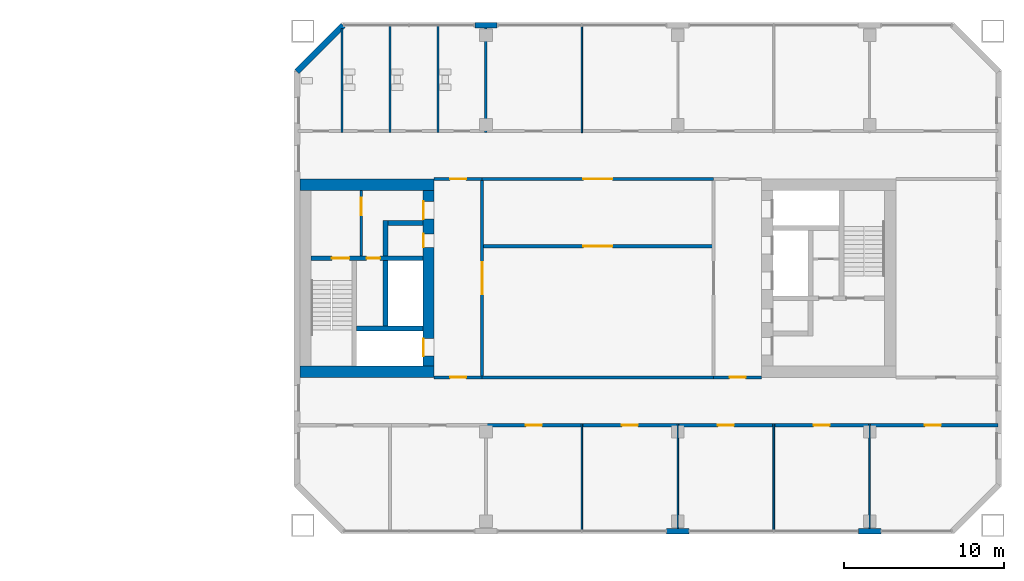
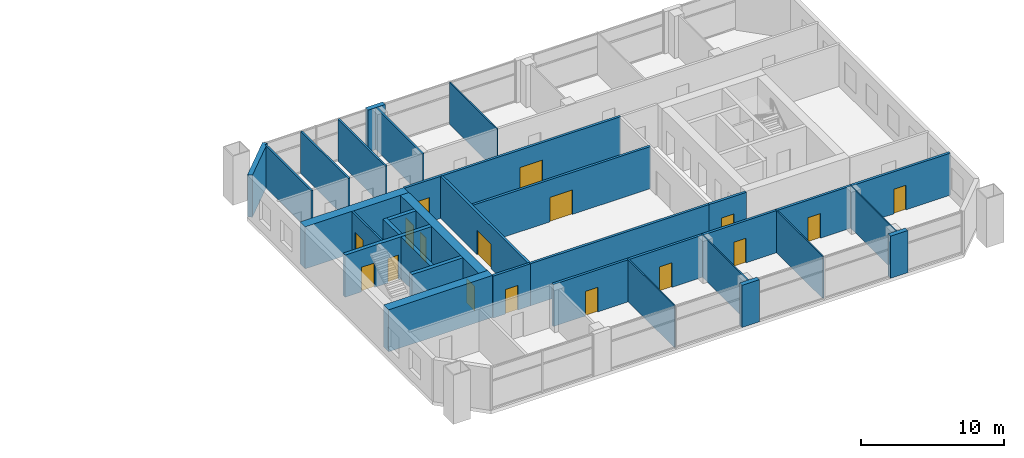
# One storey, part 14 of 19: 30 walls, 17 doors, 17 openings.
"""IFC4 building model written with IfcOpenShell, lengths in metres."""

import ifcopenshell
import ifcopenshell.guid

model = None  # the IFC model being written
_history = None  # IfcOwnerHistory: only IFC2X3 demands one
_inside = {}  # id of a spatial element -> (the spatial element, [elements in it])
_under = {}  # id of a project, library or spatial element -> (it, [spatial elements below it])
_declared = {}  # id of a project -> (the project, [libraries it declares])
_typed = {}  # id of a type object -> (the type object, [elements of that type])
_made_of = {}  # id of a material, layer set ... -> (it, [elements and type objects made of it])


def new_model(schema):
    """Start an empty IFC model of exactly this schema.

    Asked for "IFC4X3", IfcOpenShell would pick the latest addendum, in which some entities
    have other attributes; the version numbers below select the first issue.
    IFC2X3 requires an IfcOwnerHistory on every rooted entity: one is made here for all.
    """
    global model, _history
    if schema == "IFC4X3":
        model = ifcopenshell.file(schema_version=(4, 3, 0, 0))
    else:
        model = ifcopenshell.file(schema=schema)
    _inside.clear()
    _under.clear()
    _declared.clear()
    _typed.clear()
    _made_of.clear()
    _history = None
    if model.schema == "IFC2X3":
        org = make("IfcOrganization", Name="unknown")
        user = make(
            "IfcPersonAndOrganization",
            ThePerson=make("IfcPerson", FamilyName="unknown"),
            TheOrganization=org,
        )
        app = make(
            "IfcApplication",
            ApplicationDeveloper=org,
            Version="unknown",
            ApplicationFullName="unknown",
            ApplicationIdentifier="unknown",
        )
        _history = make(
            "IfcOwnerHistory",
            OwningUser=user,
            OwningApplication=app,
            ChangeAction="ADDED",
            CreationDate=0,
        )
    return model


def make(cls, **values):
    """One entity of the class cls with the attributes given. An attribute that is None is left unset."""
    return model.create_entity(
        cls, **{name: value for name, value in values.items() if value is not None}
    )


def rooted(cls, **values):
    """An entity with a GlobalId (a new one), such as an element, a storey or a relation."""
    return make(cls, GlobalId=ifcopenshell.guid.new(), OwnerHistory=_history, **values)


def si_unit(unit_type, name, prefix=None):
    """IfcSIUnit, for example si_unit("LENGTHUNIT", "METRE", prefix="MILLI")."""
    return make("IfcSIUnit", UnitType=unit_type, Prefix=prefix, Name=name)


def assignment(units):
    """IfcUnitAssignment: the units of a project."""
    return None if units is None else make("IfcUnitAssignment", Units=units)


def point(xyz):
    """IfcCartesianPoint."""
    return None if xyz is None else make("IfcCartesianPoint", Coordinates=xyz)


def direction(xyz):
    """IfcDirection."""
    return None if xyz is None else make("IfcDirection", DirectionRatios=xyz)


def frame(location, z_axis=None, x_axis=None):
    """IfcAxis2Placement3D, a coordinate frame: its origin and axes. An axis left out is left unset."""
    return make(
        "IfcAxis2Placement3D",
        Location=point(location),
        Axis=direction(z_axis),
        RefDirection=direction(x_axis),
    )


def frame_2d(location, x_axis=None):
    """IfcAxis2Placement2D, a coordinate frame in the plane: its origin and x axis."""
    return make(
        "IfcAxis2Placement2D", Location=point(location), RefDirection=direction(x_axis)
    )


def origin():
    """The frame at (0, 0, 0) with its axes left unset."""
    return frame((0.0, 0.0, 0.0))


def place(relative_to, where):
    """IfcLocalPlacement: puts the frame where relative to a parent placement (None: the world)."""
    return make(
        "IfcLocalPlacement", PlacementRelTo=relative_to, RelativePlacement=where
    )


def context(
    kind, dimensions, precision=None, world=None, true_north=None, identifier=None
):
    """IfcGeometricRepresentationContext, for example the 3D "Model" context."""
    return make(
        "IfcGeometricRepresentationContext",
        ContextIdentifier=identifier,
        ContextType=kind,
        CoordinateSpaceDimension=dimensions,
        Precision=precision,
        WorldCoordinateSystem=world,
        TrueNorth=true_north,
    )


def subcontext(parent, identifier, kind, view, scale=None):
    """IfcGeometricRepresentationSubContext, for example "Body" below "Model"."""
    return make(
        "IfcGeometricRepresentationSubContext",
        ContextIdentifier=identifier,
        ContextType=kind,
        ParentContext=parent,
        TargetScale=scale,
        TargetView=view,
    )


def project(units=None, contexts=None):
    """IfcProject with its units and contexts."""
    return rooted(
        "IfcProject",
        Name="project",
        RepresentationContexts=contexts,
        UnitsInContext=assignment(units),
    )


def spatial(cls, under=None, at=None, **own):
    """A site, building, storey or space (cls), placed at a placement, below another one or the project."""
    s = rooted(cls, ObjectPlacement=at, **own)
    if under is not None:
        _under.setdefault(under.id(), (under, []))[1].append(s)
    return s


def profile(cls, at=None, kind="AREA", **sizes):
    """A parametric profile (cls). Its sizes go by their IFC names, for example OverallWidth=200.0."""
    return make(cls, ProfileType=kind, Position=at, **sizes)


def rectangle(**sizes):
    """IfcRectangleProfileDef."""
    return profile("IfcRectangleProfileDef", **sizes)


def extrude(swept, where, along, depth):
    """IfcExtrudedAreaSolid: the profile swept, set in the frame where, extruded along a direction by depth."""
    return make(
        "IfcExtrudedAreaSolid",
        SweptArea=swept,
        Position=where,
        ExtrudedDirection=direction(along),
        Depth=depth,
    )


def shape(context_of_items, identifier, shape_type, items):
    """IfcShapeRepresentation: the items that make up one representation, for example the "Body"."""
    return make(
        "IfcShapeRepresentation",
        ContextOfItems=context_of_items,
        RepresentationIdentifier=identifier,
        RepresentationType=shape_type,
        Items=items,
    )


def material(Name=None, Category=None):
    """IfcMaterial."""
    return make("IfcMaterial", Name=Name, Category=Category)


def layer(
    of_material, thickness, ventilated=None, Name=None, Category=None, Priority=None
):
    """IfcMaterialLayer: one layer of a wall or slab, of a material (None: an air gap)."""
    return make(
        "IfcMaterialLayer",
        Material=of_material,
        LayerThickness=thickness,
        IsVentilated=ventilated,
        Name=Name,
        Category=Category,
        Priority=Priority,
    )


def layer_set(layers, Name=None):
    """IfcMaterialLayerSet."""
    return make("IfcMaterialLayerSet", MaterialLayers=layers, LayerSetName=Name)


def made_of(thing, what):
    """Note that an element or type object is made of a material, layer set ...; save() writes the relation."""
    if what is not None:
        _made_of.setdefault(what.id(), (what, []))[1].append(thing)
    return thing


def type_object(cls, material=None, **own):
    """A type object (cls), such as IfcWallType, which elements share."""
    return made_of(rooted(cls, **own), material)


def element(
    cls,
    number,
    at=None,
    inside=None,
    cuts=None,
    type_object=None,
    material=None,
    context=None,
    identifier="Body",
    shape_type=None,
    held_by="IfcProductDefinitionShape",
    body=None,
    shapes=None,
    **own,
):
    """One element of the class cls, such as IfcWall. Its Tag is "e" and its number.

    at: its placement. inside: the storey or other place that contains it. cuts: it is an
    opening in that element (IfcRelVoidsElement). A single representation is given by context,
    identifier, shape_type and body (its items); several are given by shapes. held_by: the class
    of the entity that holds the representations. save() writes the other relations.
    """
    e = rooted(cls, Tag="e%d" % number, ObjectPlacement=at, **own)
    if body is not None:
        shapes = [shape(context, identifier, shape_type, body)]
    if shapes is not None:
        e.Representation = make(held_by, Representations=shapes)
    if inside is not None:
        _inside.setdefault(inside.id(), (inside, []))[1].append(e)
    if cuts is not None:
        rooted(
            "IfcRelVoidsElement", RelatingBuildingElement=cuts, RelatedOpeningElement=e
        )
    if type_object is not None:
        _typed.setdefault(type_object.id(), (type_object, []))[1].append(e)
    return made_of(e, material)


def fill(opening, filler):
    """IfcRelFillsElement: the door or window that sits in an opening."""
    return rooted(
        "IfcRelFillsElement",
        RelatingOpeningElement=opening,
        RelatedBuildingElement=filler,
    )


def aggregate(whole, parts):
    """IfcRelAggregates: a whole, such as a stair, and the parts it consists of."""
    return rooted("IfcRelAggregates", RelatingObject=whole, RelatedObjects=parts)


def save(model, path):
    """Write the relations noted so far, then the file.

    IfcRelAggregates (storeys below a building ...), IfcRelContainedInSpatialStructure (elements
    in a storey), IfcRelDefinesByType, IfcRelAssociatesMaterial and IfcRelDeclares: one each for
    every whole, place, type object, material and project.
    """
    for whole, parts in _under.values():
        aggregate(whole, parts)
    for where, things in _inside.values():
        rooted(
            "IfcRelContainedInSpatialStructure",
            RelatedElements=things,
            RelatingStructure=where,
        )
    for kind, things in _typed.values():
        rooted("IfcRelDefinesByType", RelatedObjects=things, RelatingType=kind)
    for what, things in _made_of.values():
        rooted("IfcRelAssociatesMaterial", RelatedObjects=things, RelatingMaterial=what)
    for by, libraries in _declared.values():
        rooted("IfcRelDeclares", RelatingContext=by, RelatedDefinitions=libraries)
    model.write(path)


model = new_model("IFC4")

# Units and contexts
model_context = context("Model", 3, precision=1e-05, world=origin(), true_north=direction((0.0, 1.0)))
body_context = subcontext(model_context, "Body", "Model", "MODEL_VIEW")
ifc_project = project(units=[si_unit("LENGTHUNIT", "METRE"), si_unit("AREAUNIT", "SQUARE_METRE"), si_unit("VOLUMEUNIT", "CUBIC_METRE"), si_unit("PLANEANGLEUNIT", "RADIAN"), si_unit("MASSUNIT", "GRAM", prefix="KILO")], contexts=[model_context])

# Site, building, storey
site_placement = place(None, origin())
site = spatial("IfcSite", under=ifc_project, at=site_placement, CompositionType="ELEMENT")
building_placement = place(site_placement, origin())
building = spatial("IfcBuilding", under=site, at=building_placement, Name="Tuart Gate Housing", CompositionType="ELEMENT")
storey_placement = place(building_placement, frame((0.0, 0.0, 67.39990234375)))
storey = spatial("IfcBuildingStorey", under=building, at=storey_placement, Name="L18", CompositionType="ELEMENT", Elevation=67.39990234375)

# Walls
ifc_material_1 = material(Name="Gypsum board on steel studs", Category="steel")
ifc_layer_1 = layer(ifc_material_1, 0.14990234375)
ifc_layer_set_1 = layer_set([ifc_layer_1], Name="Bathroom wall 150")
wall_type_1 = type_object("IfcWallType", Name="Bathroom wall 150", PredefinedType="PLUMBINGWALL", material=ifc_layer_set_1)
wall_1_placement = place(storey_placement, frame((134.0, 79.10009765625, 0.0), z_axis=(0.0, 0.0, 1.0), x_axis=(0.0, 1.0, 0.0)))
element("IfcWall", 1, at=wall_1_placement, inside=storey, type_object=wall_type_1, Name="Bathroom wall 150", PredefinedType="PLUMBINGWALL", context=body_context, shape_type="SweptSolid", body=[
    extrude(rectangle(XDim=6.510986328125, YDim=0.14990234375, at=frame_2d((3.25537109375, 0.0))), origin(), (0.0, 0.0, 1.0), 3.60009765625),
])
for number, where, z_axis, x_axis, name in (
    (2, (137.0, 79.10009765625, 0.0), (0.0, 0.0, 1.0), (0.0, 1.0, 0.0), "Bathroom wall 150"),
    (3, (140.0, 79.10009765625, 0.0), (0.0, 0.0, 1.0), (0.0, 1.0, 0.0), "Bathroom wall 150"),
    (4, (143.0, 79.10009765625, 0.0), (0.0, 0.0, 1.0), (0.0, 1.0, 0.0), "Bathroom wall 150"),
):
    element("IfcWall", number, at=place(storey_placement, frame(where, z_axis=z_axis, x_axis=x_axis)), inside=storey, type_object=wall_type_1, Name=name, PredefinedType="PLUMBINGWALL", context=body_context, shape_type="SweptSolid", body=[
        extrude(rectangle(XDim=6.659912109375, YDim=0.14990234375, at=frame_2d((3.330078125, 0.0))), origin(), (0.0, 0.0, 1.0), 3.60009765625),
    ])
ifc_material_2 = material(Name="Brick", Category="masonry")
ifc_layer_2 = layer(ifc_material_2, 0.360107421875)
ifc_layer_set_2 = layer_set([ifc_layer_2], Name="Brick pier and spandrel wall 360")
wall_type_2 = type_object("IfcWallType", Name="Brick pier and spandrel wall 360", PredefinedType="STANDARD", material=ifc_layer_set_2)
for number, where, z_axis, x_axis, name in (
    (5, (154.300048828125, 54.179931640625, 0.0), (0.0, 0.0, 1.0), (1.0, 0.0, 0.0), "External wall B-S L18"),
    (6, (166.300048828125, 54.179931640625, 0.0), (0.0, 0.0, 1.0), (1.0, 0.0, 0.0), "External wall B-S L18"),
    (7, (143.699951171875, 85.820068359375, 0.0), (0.0, 0.0, 1.0), (-1.0, 0.0, 0.0), "External wall B-N L18"),
):
    element("IfcWall", number, at=place(storey_placement, frame(where, z_axis=z_axis, x_axis=x_axis)), inside=storey, type_object=wall_type_2, Name=name, PredefinedType="STANDARD", context=body_context, shape_type="SweptSolid", body=[
        extrude(rectangle(XDim=1.39990234375, YDim=0.360107421875, at=frame_2d((0.699951171875, 0.0))), origin(), (0.0, 0.0, 1.0), 3.60009765625),
    ])
wall_2_placement = place(storey_placement, frame((134.07470703125, 85.820068359375, 0.0), z_axis=(0.0, 0.0, 1.0), x_axis=(-0.707106781187, -0.707106781187, 0.0)))
element("IfcWall", 8, at=wall_2_placement, inside=storey, type_object=wall_type_2, Name="External wall B-NW L18", PredefinedType="STANDARD", context=body_context, shape_type="SweptSolid", body=[
    extrude(rectangle(XDim=4.09375, YDim=0.360107421875, at=frame_2d((2.046875, 0.0))), origin(), (0.0, 0.0, 1.0), 3.60009765625),
])

# Wall, opening, door
ifc_material_3 = material(Name="Plasterboard partition")
ifc_layer_3 = layer(ifc_material_3, 0.14990234375)
ifc_layer_set_3 = layer_set([ifc_layer_3], Name="Core partition 150")
wall_type_3 = type_object("IfcWallType", Name="Core partition 150", PredefinedType="PARTITIONING", material=ifc_layer_set_3)
wall_3_placement = place(storey_placement, frame((135.2099609375, 71.39990234375, 0.0), z_axis=(0.0, 0.0, 1.0), x_axis=(0.0, 1.0, 0.0)))
wall_3 = element("IfcWall", 9, at=wall_3_placement, inside=storey, type_object=wall_type_3, Name="Core partition BG.6", PredefinedType="PARTITIONING", context=body_context, shape_type="SweptSolid", body=[
    extrude(rectangle(XDim=4.10009765625, YDim=0.14990234375, at=frame_2d((2.050048828125, 0.0))), origin(), (0.0, 0.0, 1.0), 3.60009765625),
])
opening_1_placement = place(wall_3_placement, frame((2.52490234375, 0.0, 0.0)))
opening_1 = element("IfcOpeningElement", 10, at=opening_1_placement, cuts=wall_3, Name="Opening D119", PredefinedType="OPENING", context=body_context, shape_type="SweptSolid", body=[
    extrude(rectangle(XDim=1.10009765625, YDim=2.10009765625, at=frame_2d((0.550048828125, 1.050048828125))), frame((0.0, 0.0849609375, 0.0), z_axis=(0.0, -1.0, 0.0), x_axis=(1.0, 0.0, 0.0)), (0.0, 0.0, 1.0), 0.169921875),
])
ifc_material_4 = material(Name="Steel fire door", Category="steel")
door_type_1 = type_object("IfcDoorType", Name="Lobby door 1100 x 2100 RH", OperationType="SINGLE_SWING_RIGHT", PredefinedType="DOOR", material=ifc_material_4)
door_1_placement = place(opening_1_placement, origin())
door_1 = element("IfcDoor", 11, at=door_1_placement, inside=storey, type_object=door_type_1, Name="Smoke lobby door BG.KD", OperationType="SINGLE_SWING_RIGHT", OverallHeight=2.10009765625, OverallWidth=1.10009765625, PredefinedType="DOOR", context=body_context, shape_type="SweptSolid", body=[
    extrude(rectangle(XDim=1.10009765625, YDim=2.10009765625, at=frame_2d((0.550048828125, 1.050048828125))), frame((0.0, 0.02490234375, 0.0), z_axis=(0.0, -1.0, 0.0), x_axis=(1.0, 0.0, 0.0)), (0.0, 0.0, 1.0), 0.050048828125),
])
fill(opening_1, door_1)

# Wall
ifc_material_5 = material(Name="Concrete C50", Category="concrete")
ifc_layer_4 = layer(ifc_material_5, 0.300048828125)
ifc_layer_set_4 = layer_set([ifc_layer_4], Name="Core wall 300 C50")
wall_type_4 = type_object("IfcWallType", Name="Core wall 300 C50", PredefinedType="SHEAR", material=ifc_layer_set_4)
wall_4_placement = place(storey_placement, frame((139.06005859375, 66.85009765625, 0.0), z_axis=(0.0, 0.0, 1.0), x_axis=(-1.0, 0.0, 0.0)))
element("IfcWall", 12, at=wall_4_placement, inside=storey, type_object=wall_type_4, Name="Core wall BG.1", PredefinedType="SHEAR", context=body_context, shape_type="SweptSolid", body=[
    extrude(rectangle(XDim=4.150146484375, YDim=0.300048828125, at=frame_2d((2.0751953125, 0.0))), origin(), (0.0, 0.0, 1.0), 3.60009765625),
])

# Wall, openings, doors
wall_5_placement = place(storey_placement, frame((139.06005859375, 71.25, 0.0), z_axis=(0.0, 0.0, 1.0), x_axis=(-1.0, 0.0, 0.0)))
wall_5 = element("IfcWall", 13, at=wall_5_placement, inside=storey, type_object=wall_type_4, Name="Core wall BG.2", PredefinedType="SHEAR", context=body_context, shape_type="SweptSolid", body=[
    extrude(rectangle(XDim=7.0, YDim=0.300048828125, at=frame_2d((3.5, 0.0))), origin(), (0.0, 0.0, 1.0), 3.60009765625),
])
opening_2_placement = place(wall_5_placement, frame((4.60009765625, 0.0, 0.0)))
opening_2 = element("IfcOpeningElement", 14, at=opening_2_placement, cuts=wall_5, Name="Opening D122", PredefinedType="OPENING", context=body_context, shape_type="SweptSolid", body=[
    extrude(rectangle(XDim=1.10009765625, YDim=2.10009765625, at=frame_2d((0.550048828125, 1.050048828125))), frame((0.0, 0.159912109375, 0.0), z_axis=(0.0, -1.0, 0.0), x_axis=(1.0, 0.0, 0.0)), (0.0, 0.0, 1.0), 0.320068359375),
])
opening_3_placement = place(wall_5_placement, frame((2.675048828125, 0.0, 0.0)))
opening_3 = element("IfcOpeningElement", 15, at=opening_3_placement, cuts=wall_5, Name="Opening D121", PredefinedType="OPENING", context=body_context, shape_type="SweptSolid", body=[
    extrude(rectangle(XDim=0.85009765625, YDim=2.10009765625, at=frame_2d((0.425048828125, 1.050048828125))), frame((0.0, 0.159912109375, 0.0), z_axis=(0.0, -1.0, 0.0), x_axis=(1.0, 0.0, 0.0)), (0.0, 0.0, 1.0), 0.320068359375),
])
ifc_material_6 = material(Name="Steel fire door", Category="steel")
door_type_2 = type_object("IfcDoorType", Name="Riser door 850 x 2100", OperationType="SINGLE_SWING_LEFT", PredefinedType="DOOR", material=ifc_material_6)
door_2_placement = place(opening_3_placement, origin())
door_2 = element("IfcDoor", 16, at=door_2_placement, inside=storey, type_object=door_type_2, Name="Service room door BG.W1", OperationType="SINGLE_SWING_LEFT", OverallHeight=2.10009765625, OverallWidth=0.85009765625, PredefinedType="DOOR", context=body_context, shape_type="SweptSolid", body=[
    extrude(rectangle(XDim=0.85009765625, YDim=2.10009765625, at=frame_2d((0.425048828125, 1.050048828125))), frame((0.0, 0.02490234375, 0.0), z_axis=(0.0, -1.0, 0.0), x_axis=(1.0, 0.0, 0.0)), (0.0, 0.0, 1.0), 0.050048828125),
])
fill(opening_3, door_2)
ifc_material_7 = material(Name="Steel fire door", Category="steel")
door_type_3 = type_object("IfcDoorType", Name="Stair door 1100 x 2100", OperationType="SINGLE_SWING_LEFT", PredefinedType="DOOR", material=ifc_material_7)
door_3_placement = place(opening_2_placement, origin())
door_3 = element("IfcDoor", 17, at=door_3_placement, inside=storey, type_object=door_type_3, Name="Stair door BG.SD", OperationType="SINGLE_SWING_LEFT", OverallHeight=2.10009765625, OverallWidth=1.10009765625, PredefinedType="DOOR", context=body_context, shape_type="SweptSolid", body=[
    extrude(rectangle(XDim=1.10009765625, YDim=2.10009765625, at=frame_2d((0.550048828125, 1.050048828125))), frame((0.0, 0.02490234375, 0.0), z_axis=(0.0, -1.0, 0.0), x_axis=(1.0, 0.0, 0.0)), (0.0, 0.0, 1.0), 0.050048828125),
])
fill(opening_2, door_3)

# Walls
wall_6_placement = place(storey_placement, frame((139.06005859375, 73.449951171875, 0.0), z_axis=(0.0, 0.0, 1.0), x_axis=(-1.0, 0.0, 0.0)))
element("IfcWall", 18, at=wall_6_placement, inside=storey, type_object=wall_type_4, Name="Core wall BG.3", PredefinedType="SHEAR", context=body_context, shape_type="SweptSolid", body=[
    extrude(rectangle(XDim=2.199951171875, YDim=0.300048828125, at=frame_2d((1.10009765625, 0.0))), origin(), (0.0, 0.0, 1.0), 3.60009765625),
])
wall_7_placement = place(storey_placement, frame((136.7099609375, 67.0, 0.0), z_axis=(0.0, 0.0, 1.0), x_axis=(0.0, 1.0, 0.0)))
element("IfcWall", 19, at=wall_7_placement, inside=storey, type_object=wall_type_4, Name="Core wall BG.4", PredefinedType="SHEAR", context=body_context, shape_type="SweptSolid", body=[
    extrude(rectangle(XDim=4.10009765625, YDim=0.300048828125, at=frame_2d((2.050048828125, 0.0))), origin(), (0.0, 0.0, 1.0), 3.60009765625),
])
wall_8_placement = place(storey_placement, frame((136.7099609375, 71.39990234375, 0.0), z_axis=(0.0, 0.0, 1.0), x_axis=(0.0, 1.0, 0.0)))
element("IfcWall", 20, at=wall_8_placement, inside=storey, type_object=wall_type_4, Name="Core wall BG.5", PredefinedType="SHEAR", context=body_context, shape_type="SweptSolid", body=[
    extrude(rectangle(XDim=2.2001953125, YDim=0.300048828125, at=frame_2d((1.10009765625, 0.0))), origin(), (0.0, 0.0, 1.0), 3.60009765625),
])

# Wall, openings, doors
ifc_material_8 = material(Name="Concrete C50", Category="concrete")
ifc_layer_5 = layer(ifc_material_8, 0.699951171875)
ifc_layer_set_5 = layer_set([ifc_layer_5], Name="Core wall 700 C50")
wall_type_5 = type_object("IfcWallType", Name="Core wall 700 C50", PredefinedType="SHEAR", material=ifc_layer_set_5)
wall_9_placement = place(storey_placement, frame((139.409912109375, 64.5, 0.0), z_axis=(0.0, 0.0, 1.0), x_axis=(0.0, 1.0, 0.0)))
wall_9 = element("IfcWall", 21, at=wall_9_placement, inside=storey, type_object=wall_type_5, Name="Core wall BG front", PredefinedType="SHEAR", context=body_context, shape_type="SweptSolid", body=[
    extrude(rectangle(XDim=11.0, YDim=0.699951171875, at=frame_2d((5.5, 0.0))), origin(), (0.0, 0.0, 1.0), 3.60009765625),
])
opening_4_placement = place(wall_9_placement, frame((0.625, 0.0, 0.0)))
opening_4 = element("IfcOpeningElement", 22, at=opening_4_placement, cuts=wall_9, Name="Opening LD-FB1", PredefinedType="OPENING", context=body_context, shape_type="SweptSolid", body=[
    extrude(rectangle(XDim=1.10009765625, YDim=2.10009765625, at=frame_2d((0.550048828125, 1.050048828125))), frame((0.0, 0.35986328125, 0.0), z_axis=(0.0, -1.0, 0.0), x_axis=(1.0, 0.0, 0.0)), (0.0, 0.0, 1.0), 0.719970703125),
])
opening_5_placement = place(wall_9_placement, frame((9.199951171875, 0.0, 0.0)))
opening_5 = element("IfcOpeningElement", 23, at=opening_5_placement, cuts=wall_9, Name="Opening D124", PredefinedType="OPENING", context=body_context, shape_type="SweptSolid", body=[
    extrude(rectangle(XDim=1.10009765625, YDim=2.10009765625, at=frame_2d((0.550048828125, 1.050048828125))), frame((0.0, 0.35986328125, 0.0), z_axis=(0.0, -1.0, 0.0), x_axis=(1.0, 0.0, 0.0)), (0.0, 0.0, 1.0), 0.719970703125),
])
opening_6_placement = place(wall_9_placement, frame((7.425048828125, 0.0, 0.0)))
opening_6 = element("IfcOpeningElement", 24, at=opening_6_placement, cuts=wall_9, Name="Opening D125", PredefinedType="OPENING", context=body_context, shape_type="SweptSolid", body=[
    extrude(rectangle(XDim=0.85009765625, YDim=2.10009765625, at=frame_2d((0.425048828125, 1.050048828125))), frame((0.0, 0.35986328125, 0.0), z_axis=(0.0, -1.0, 0.0), x_axis=(1.0, 0.0, 0.0)), (0.0, 0.0, 1.0), 0.719970703125),
])
ifc_material_9 = material(Name="Stainless steel", Category="steel")
door_type_4 = type_object("IfcDoorType", Name="Landing door 1100 x 2100", OperationType="DOUBLE_DOOR_SLIDING", PredefinedType="DOOR", material=ifc_material_9)
door_4_placement = place(opening_4_placement, origin())
door_4 = element("IfcDoor", 25, at=door_4_placement, inside=storey, type_object=door_type_4, Name="Lift landing door FB1", OperationType="DOUBLE_DOOR_SLIDING", OverallHeight=2.10009765625, OverallWidth=1.10009765625, PredefinedType="DOOR", context=body_context, shape_type="SweptSolid", body=[
    extrude(rectangle(XDim=1.10009765625, YDim=2.10009765625, at=frame_2d((0.550048828125, 1.050048828125))), frame((0.0, 0.3349609375, 0.0), z_axis=(0.0, -1.0, 0.0), x_axis=(1.0, 0.0, 0.0)), (0.0, 0.0, 1.0), 0.050048828125),
])
fill(opening_4, door_4)
ifc_material_10 = material(Name="Steel fire door", Category="steel")
door_type_5 = type_object("IfcDoorType", Name="Lobby door 1100 x 2100", OperationType="SINGLE_SWING_LEFT", PredefinedType="DOOR", material=ifc_material_10)
door_5_placement = place(opening_5_placement, origin())
door_5 = element("IfcDoor", 26, at=door_5_placement, inside=storey, type_object=door_type_5, Name="Lobby entry door BG.EN", OperationType="SINGLE_SWING_LEFT", OverallHeight=2.10009765625, OverallWidth=1.10009765625, PredefinedType="DOOR", context=body_context, shape_type="SweptSolid", body=[
    extrude(rectangle(XDim=1.10009765625, YDim=2.10009765625, at=frame_2d((0.550048828125, 1.050048828125))), frame((0.0, 0.3349609375, 0.0), z_axis=(0.0, -1.0, 0.0), x_axis=(1.0, 0.0, 0.0)), (0.0, 0.0, 1.0), 0.050048828125),
])
fill(opening_5, door_5)
ifc_material_11 = material(Name="Steel fire door", Category="steel")
door_type_6 = type_object("IfcDoorType", Name="Service door 850 x 2100", OperationType="SINGLE_SWING_LEFT", PredefinedType="DOOR", material=ifc_material_11)
door_6_placement = place(opening_6_placement, origin())
door_6 = element("IfcDoor", 27, at=door_6_placement, inside=storey, type_object=door_type_6, Name="Service room door BG.T1", OperationType="SINGLE_SWING_LEFT", OverallHeight=2.10009765625, OverallWidth=0.85009765625, PredefinedType="DOOR", context=body_context, shape_type="SweptSolid", body=[
    extrude(rectangle(XDim=0.85009765625, YDim=2.10009765625, at=frame_2d((0.425048828125, 1.050048828125))), frame((0.0, 0.3349609375, 0.0), z_axis=(0.0, -1.0, 0.0), x_axis=(1.0, 0.0, 0.0)), (0.0, 0.0, 1.0), 0.050048828125),
])
fill(opening_6, door_6)

# Walls
for number, where, z_axis, x_axis, name in (
    (28, (139.760009765625, 64.14990234375, 0.0), (0.0, 0.0, 1.0), (-1.0, 0.0, 0.0), "Core wall BG south"),
    (29, (139.760009765625, 75.85009765625, 0.0), (0.0, 0.0, 1.0), (-1.0, 0.0, 0.0), "Core wall BG north"),
):
    element("IfcWall", number, at=place(storey_placement, frame(where, z_axis=z_axis, x_axis=x_axis)), inside=storey, type_object=wall_type_5, Name=name, PredefinedType="SHEAR", context=body_context, shape_type="SweptSolid", body=[
        extrude(rectangle(XDim=8.39990234375, YDim=0.699951171875, at=frame_2d((4.199951171875, 0.0))), origin(), (0.0, 0.0, 1.0), 3.60009765625),
    ])

# Wall, openings, doors
ifc_material_12 = material(Name="Concrete masonry 15 MPa", Category="masonry")
ifc_layer_6 = layer(ifc_material_12, 0.199951171875)
ifc_layer_set_6 = layer_set([ifc_layer_6], Name="Corridor wall masonry 200")
wall_type_6 = type_object("IfcWallType", Name="Corridor wall masonry 200", PredefinedType="PARTITIONING", material=ifc_layer_set_6)
wall_10_placement = place(storey_placement, frame((142.89990234375, 60.800048828125, 0.0), z_axis=(0.0, 0.0, 1.0), x_axis=(1.0, 0.0, 0.0)))
wall_10 = element("IfcWall", 30, at=wall_10_placement, inside=storey, type_object=wall_type_6, Name="Corridor wall masonry 200", PredefinedType="PARTITIONING", context=body_context, shape_type="SweptSolid", body=[
    extrude(rectangle(XDim=32.110107421875, YDim=0.199951171875, at=frame_2d((16.05517578125, 0.0))), origin(), (0.0, 0.0, 1.0), 3.60009765625),
])
opening_7_placement = place(wall_10_placement, frame((2.60009765625, 0.0, 0.0)))
opening_7 = element("IfcOpeningElement", 31, at=opening_7_placement, cuts=wall_10, Name="Opening D137", PredefinedType="OPENING", context=body_context, shape_type="SweptSolid", body=[
    extrude(rectangle(XDim=1.0, YDim=2.10009765625, at=frame_2d((0.5, 1.050048828125))), frame((0.0, 0.10986328125, 0.0), z_axis=(0.0, -1.0, 0.0), x_axis=(1.0, 0.0, 0.0)), (0.0, 0.0, 1.0), 0.219970703125),
])
opening_8_placement = place(wall_10_placement, frame((8.60009765625, 0.0, 0.0)))
opening_8 = element("IfcOpeningElement", 32, at=opening_8_placement, cuts=wall_10, Name="Opening D138", PredefinedType="OPENING", context=body_context, shape_type="SweptSolid", body=[
    extrude(rectangle(XDim=1.0, YDim=2.10009765625, at=frame_2d((0.5, 1.050048828125))), frame((0.0, 0.10986328125, 0.0), z_axis=(0.0, -1.0, 0.0), x_axis=(1.0, 0.0, 0.0)), (0.0, 0.0, 1.0), 0.219970703125),
])
opening_9_placement = place(wall_10_placement, frame((14.60009765625, 0.0, 0.0)))
opening_9 = element("IfcOpeningElement", 33, at=opening_9_placement, cuts=wall_10, Name="Opening D139", PredefinedType="OPENING", context=body_context, shape_type="SweptSolid", body=[
    extrude(rectangle(XDim=1.0, YDim=2.10009765625, at=frame_2d((0.5, 1.050048828125))), frame((0.0, 0.10986328125, 0.0), z_axis=(0.0, -1.0, 0.0), x_axis=(1.0, 0.0, 0.0)), (0.0, 0.0, 1.0), 0.219970703125),
])
opening_10_placement = place(wall_10_placement, frame((20.60009765625, 0.0, 0.0)))
opening_10 = element("IfcOpeningElement", 34, at=opening_10_placement, cuts=wall_10, Name="Opening D140", PredefinedType="OPENING", context=body_context, shape_type="SweptSolid", body=[
    extrude(rectangle(XDim=1.0, YDim=2.10009765625, at=frame_2d((0.5, 1.050048828125))), frame((0.0, 0.10986328125, 0.0), z_axis=(0.0, -1.0, 0.0), x_axis=(1.0, 0.0, 0.0)), (0.0, 0.0, 1.0), 0.219970703125),
])
opening_11_placement = place(wall_10_placement, frame((27.544921875, 0.0, 0.0)))
opening_11 = element("IfcOpeningElement", 35, at=opening_11_placement, cuts=wall_10, Name="Opening D141", PredefinedType="OPENING", context=body_context, shape_type="SweptSolid", body=[
    extrude(rectangle(XDim=1.0, YDim=2.10009765625, at=frame_2d((0.5, 1.050048828125))), frame((0.0, 0.10986328125, 0.0), z_axis=(0.0, -1.0, 0.0), x_axis=(1.0, 0.0, 0.0)), (0.0, 0.0, 1.0), 0.219970703125),
])
ifc_material_13 = material(Name="Timber door leaf in steel frame", Category="steel")
door_type_7 = type_object("IfcDoorType", Name="Fire door 1000 RH", OperationType="SINGLE_SWING_RIGHT", PredefinedType="DOOR", material=ifc_material_13)
door_7_placement = place(opening_7_placement, frame((1.0, 0.0, 0.0), z_axis=(0.0, 0.0, 1.0), x_axis=(-1.0, 0.0, 0.0)))
door_7 = element("IfcDoor", 36, at=door_7_placement, inside=storey, type_object=door_type_7, Name="Fire door 1000", OperationType="SINGLE_SWING_RIGHT", OverallHeight=2.10009765625, OverallWidth=1.0, PredefinedType="DOOR", context=body_context, shape_type="SweptSolid", body=[
    extrude(rectangle(XDim=1.0, YDim=2.10009765625, at=frame_2d((0.5, 1.050048828125))), frame((0.0, 0.025146484375, 0.0), z_axis=(0.0, -1.0, 0.0), x_axis=(1.0, 0.0, 0.0)), (0.0, 0.0, 1.0), 0.050048828125),
])
fill(opening_7, door_7)
door_8_placement = place(opening_8_placement, frame((1.0, 0.0, 0.0), z_axis=(0.0, 0.0, 1.0), x_axis=(-1.0, 0.0, 0.0)))
door_8 = element("IfcDoor", 37, at=door_8_placement, inside=storey, type_object=door_type_7, Name="Fire door 1000", OperationType="SINGLE_SWING_RIGHT", OverallHeight=2.10009765625, OverallWidth=1.0, PredefinedType="DOOR", context=body_context, shape_type="SweptSolid", body=[
    extrude(rectangle(XDim=1.0, YDim=2.10009765625, at=frame_2d((0.5, 1.050048828125))), frame((0.0, 0.025146484375, 0.0), z_axis=(0.0, -1.0, 0.0), x_axis=(1.0, 0.0, 0.0)), (0.0, 0.0, 1.0), 0.050048828125),
])
fill(opening_8, door_8)
door_9_placement = place(opening_9_placement, frame((1.0, 0.0, 0.0), z_axis=(0.0, 0.0, 1.0), x_axis=(-1.0, 0.0, 0.0)))
door_9 = element("IfcDoor", 38, at=door_9_placement, inside=storey, type_object=door_type_7, Name="Fire door 1000", OperationType="SINGLE_SWING_RIGHT", OverallHeight=2.10009765625, OverallWidth=1.0, PredefinedType="DOOR", context=body_context, shape_type="SweptSolid", body=[
    extrude(rectangle(XDim=1.0, YDim=2.10009765625, at=frame_2d((0.5, 1.050048828125))), frame((0.0, 0.025146484375, 0.0), z_axis=(0.0, -1.0, 0.0), x_axis=(1.0, 0.0, 0.0)), (0.0, 0.0, 1.0), 0.050048828125),
])
fill(opening_9, door_9)
door_10_placement = place(opening_10_placement, frame((1.0, 0.0, 0.0), z_axis=(0.0, 0.0, 1.0), x_axis=(-1.0, 0.0, 0.0)))
door_10 = element("IfcDoor", 39, at=door_10_placement, inside=storey, type_object=door_type_7, Name="Fire door 1000", OperationType="SINGLE_SWING_RIGHT", OverallHeight=2.10009765625, OverallWidth=1.0, PredefinedType="DOOR", context=body_context, shape_type="SweptSolid", body=[
    extrude(rectangle(XDim=1.0, YDim=2.10009765625, at=frame_2d((0.5, 1.050048828125))), frame((0.0, 0.025146484375, 0.0), z_axis=(0.0, -1.0, 0.0), x_axis=(1.0, 0.0, 0.0)), (0.0, 0.0, 1.0), 0.050048828125),
])
fill(opening_10, door_10)
door_11_placement = place(opening_11_placement, frame((1.0, 0.0, 0.0), z_axis=(0.0, 0.0, 1.0), x_axis=(-1.0, 0.0, 0.0)))
door_11 = element("IfcDoor", 40, at=door_11_placement, inside=storey, type_object=door_type_7, Name="Fire door 1000", OperationType="SINGLE_SWING_RIGHT", OverallHeight=2.10009765625, OverallWidth=1.0, PredefinedType="DOOR", context=body_context, shape_type="SweptSolid", body=[
    extrude(rectangle(XDim=1.0, YDim=2.10009765625, at=frame_2d((0.5, 1.050048828125))), frame((0.0, 0.025146484375, 0.0), z_axis=(0.0, -1.0, 0.0), x_axis=(1.0, 0.0, 0.0)), (0.0, 0.0, 1.0), 0.050048828125),
])
fill(opening_11, door_11)

# Wall
wall_11_placement = place(storey_placement, frame((142.760009765625, 63.800048828125, 0.0), z_axis=(0.0, 0.0, 1.0), x_axis=(1.0, 0.0, 0.0)))
element("IfcWall", 41, at=wall_11_placement, inside=storey, type_object=wall_type_6, Name="Corridor wall masonry 200", PredefinedType="PARTITIONING", context=body_context, shape_type="SweptSolid", body=[
    extrude(rectangle(XDim=14.47998046875, YDim=0.199951171875, at=frame_2d((7.239990234375, 0.0))), origin(), (0.0, 0.0, 1.0), 3.60009765625),
])

# Wall, opening, door
wall_12_placement = place(storey_placement, frame((142.760009765625, 72.0, 0.0), z_axis=(0.0, 0.0, 1.0), x_axis=(1.0, 0.0, 0.0)))
wall_12 = element("IfcWall", 42, at=wall_12_placement, inside=storey, type_object=wall_type_6, Name="Corridor wall masonry 200", PredefinedType="PARTITIONING", context=body_context, shape_type="SweptSolid", body=[
    extrude(rectangle(XDim=14.47998046875, YDim=0.199951171875, at=frame_2d((7.239990234375, 0.0))), origin(), (0.0, 0.0, 1.0), 3.60009765625),
])
opening_12_placement = place(wall_12_placement, frame((6.340087890625, 0.0, 0.0)))
opening_12 = element("IfcOpeningElement", 43, at=opening_12_placement, cuts=wall_12, Name="Opening D120", PredefinedType="OPENING", context=body_context, shape_type="SweptSolid", body=[
    extrude(rectangle(XDim=1.800048828125, YDim=2.10009765625, at=frame_2d((0.89990234375, 1.050048828125))), frame((0.0, 0.10986328125, 0.0), z_axis=(0.0, -1.0, 0.0), x_axis=(1.0, 0.0, 0.0)), (0.0, 0.0, 1.0), 0.219970703125),
])
ifc_material_14 = material(Name="Timber door leaf in steel frame", Category="steel")
door_type_8 = type_object("IfcDoorType", Name="Double door 1800", OperationType="DOUBLE_DOOR_SINGLE_SWING", PredefinedType="DOOR", material=ifc_material_14)
door_12_placement = place(opening_12_placement, origin())
door_12 = element("IfcDoor", 44, at=door_12_placement, inside=storey, type_object=door_type_8, Name="Double door 1800", OperationType="DOUBLE_DOOR_SINGLE_SWING", OverallHeight=2.10009765625, OverallWidth=1.800048828125, PredefinedType="DOOR", context=body_context, shape_type="SweptSolid", body=[
    extrude(rectangle(XDim=1.800048828125, YDim=2.10009765625, at=frame_2d((0.89990234375, 1.050048828125))), frame((0.0, 0.02490234375, 0.0), z_axis=(0.0, -1.0, 0.0), x_axis=(1.0, 0.0, 0.0)), (0.0, 0.0, 1.0), 0.050048828125),
])
fill(opening_12, door_12)

wall_13_placement = place(storey_placement, frame((142.760009765625, 76.199951171875, 0.0), z_axis=(0.0, 0.0, 1.0), x_axis=(1.0, 0.0, 0.0)))
wall_13 = element("IfcWall", 45, at=wall_13_placement, inside=storey, type_object=wall_type_6, Name="Corridor wall masonry 200", PredefinedType="PARTITIONING", context=body_context, shape_type="SweptSolid", body=[
    extrude(rectangle(XDim=14.47998046875, YDim=0.199951171875, at=frame_2d((7.239990234375, 0.0))), origin(), (0.0, 0.0, 1.0), 3.60009765625),
])
opening_13_placement = place(wall_13_placement, frame((6.340087890625, 0.0, 0.0)))
opening_13 = element("IfcOpeningElement", 46, at=opening_13_placement, cuts=wall_13, Name="Opening D117", PredefinedType="OPENING", context=body_context, shape_type="SweptSolid", body=[
    extrude(rectangle(XDim=1.800048828125, YDim=2.10009765625, at=frame_2d((0.89990234375, 1.050048828125))), frame((0.0, 0.10986328125, 0.0), z_axis=(0.0, -1.0, 0.0), x_axis=(1.0, 0.0, 0.0)), (0.0, 0.0, 1.0), 0.219970703125),
])
door_13_placement = place(opening_13_placement, origin())
door_13 = element("IfcDoor", 47, at=door_13_placement, inside=storey, type_object=door_type_8, Name="Double door 1800", OperationType="DOUBLE_DOOR_SINGLE_SWING", OverallHeight=2.10009765625, OverallWidth=1.800048828125, PredefinedType="DOOR", context=body_context, shape_type="SweptSolid", body=[
    extrude(rectangle(XDim=1.800048828125, YDim=2.10009765625, at=frame_2d((0.89990234375, 1.050048828125))), frame((0.0, 0.02490234375, 0.0), z_axis=(0.0, -1.0, 0.0), x_axis=(1.0, 0.0, 0.0)), (0.0, 0.0, 1.0), 0.050048828125),
])
fill(opening_13, door_13)

ifc_material_15 = material(Name="Concrete masonry 15 MPa", Category="masonry")
ifc_layer_7 = layer(ifc_material_15, 0.199951171875)
ifc_layer_set_7 = layer_set([ifc_layer_7], Name="Enclosure wall masonry 200")
wall_type_7 = type_object("IfcWallType", Name="Enclosure wall masonry 200", PredefinedType="PARTITIONING", material=ifc_layer_set_7)
wall_14_placement = place(storey_placement, frame((139.760009765625, 63.800048828125, 0.0), z_axis=(0.0, 0.0, 1.0), x_axis=(1.0, 0.0, 0.0)))
wall_14 = element("IfcWall", 48, at=wall_14_placement, inside=storey, type_object=wall_type_7, Name="Enclosure wall masonry 200", PredefinedType="PARTITIONING", context=body_context, shape_type="SweptSolid", body=[
    extrude(rectangle(XDim=3.0, YDim=0.199951171875, at=frame_2d((1.5, 0.0))), origin(), (0.0, 0.0, 1.0), 3.60009765625),
])
opening_14_placement = place(wall_14_placement, frame((1.0, 0.0, 0.0)))
opening_14 = element("IfcOpeningElement", 49, at=opening_14_placement, cuts=wall_14, Name="Opening D132", PredefinedType="OPENING", context=body_context, shape_type="SweptSolid", body=[
    extrude(rectangle(XDim=1.0, YDim=2.10009765625, at=frame_2d((0.5, 1.050048828125))), frame((0.0, 0.10986328125, 0.0), z_axis=(0.0, -1.0, 0.0), x_axis=(1.0, 0.0, 0.0)), (0.0, 0.0, 1.0), 0.219970703125),
])
ifc_material_16 = material(Name="Timber door leaf in steel frame", Category="steel")
door_type_9 = type_object("IfcDoorType", Name="Lobby door 1000 RH", OperationType="SINGLE_SWING_RIGHT", PredefinedType="DOOR", material=ifc_material_16)
door_14_placement = place(opening_14_placement, origin())
door_14 = element("IfcDoor", 50, at=door_14_placement, inside=storey, type_object=door_type_9, Name="Lobby door 1000", OperationType="SINGLE_SWING_RIGHT", OverallHeight=2.10009765625, OverallWidth=1.0, PredefinedType="DOOR", context=body_context, shape_type="SweptSolid", body=[
    extrude(rectangle(XDim=1.0, YDim=2.10009765625, at=frame_2d((0.5, 1.050048828125))), frame((0.0, 0.02490234375, 0.0), z_axis=(0.0, -1.0, 0.0), x_axis=(1.0, 0.0, 0.0)), (0.0, 0.0, 1.0), 0.050048828125),
])
fill(opening_14, door_14)

wall_15_placement = place(storey_placement, frame((157.239990234375, 63.800048828125, 0.0), z_axis=(0.0, 0.0, 1.0), x_axis=(1.0, 0.0, 0.0)))
wall_15 = element("IfcWall", 51, at=wall_15_placement, inside=storey, type_object=wall_type_7, Name="Enclosure wall masonry 200", PredefinedType="PARTITIONING", context=body_context, shape_type="SweptSolid", body=[
    extrude(rectangle(XDim=3.0, YDim=0.199951171875, at=frame_2d((1.5, 0.0))), origin(), (0.0, 0.0, 1.0), 3.60009765625),
])
opening_15_placement = place(wall_15_placement, frame((1.0, 0.0, 0.0)))
opening_15 = element("IfcOpeningElement", 52, at=opening_15_placement, cuts=wall_15, Name="Opening D133", PredefinedType="OPENING", context=body_context, shape_type="SweptSolid", body=[
    extrude(rectangle(XDim=1.0, YDim=2.10009765625, at=frame_2d((0.5, 1.050048828125))), frame((0.0, 0.10986328125, 0.0), z_axis=(0.0, -1.0, 0.0), x_axis=(1.0, 0.0, 0.0)), (0.0, 0.0, 1.0), 0.219970703125),
])
ifc_material_17 = material(Name="Timber door leaf in steel frame", Category="steel")
door_type_10 = type_object("IfcDoorType", Name="Lobby door 1000", OperationType="SINGLE_SWING_LEFT", PredefinedType="DOOR", material=ifc_material_17)
door_15_placement = place(opening_15_placement, origin())
door_15 = element("IfcDoor", 53, at=door_15_placement, inside=storey, type_object=door_type_10, Name="Lobby door 1000", OperationType="SINGLE_SWING_LEFT", OverallHeight=2.10009765625, OverallWidth=1.0, PredefinedType="DOOR", context=body_context, shape_type="SweptSolid", body=[
    extrude(rectangle(XDim=1.0, YDim=2.10009765625, at=frame_2d((0.5, 1.050048828125))), frame((0.0, 0.02490234375, 0.0), z_axis=(0.0, -1.0, 0.0), x_axis=(1.0, 0.0, 0.0)), (0.0, 0.0, 1.0), 0.050048828125),
])
fill(opening_15, door_15)

wall_16_placement = place(storey_placement, frame((139.760009765625, 76.199951171875, 0.0), z_axis=(0.0, 0.0, 1.0), x_axis=(1.0, 0.0, 0.0)))
wall_16 = element("IfcWall", 54, at=wall_16_placement, inside=storey, type_object=wall_type_7, Name="Enclosure wall masonry 200", PredefinedType="PARTITIONING", context=body_context, shape_type="SweptSolid", body=[
    extrude(rectangle(XDim=3.0, YDim=0.199951171875, at=frame_2d((1.5, 0.0))), origin(), (0.0, 0.0, 1.0), 3.60009765625),
])
opening_16_placement = place(wall_16_placement, frame((1.0, 0.0, 0.0)))
opening_16 = element("IfcOpeningElement", 55, at=opening_16_placement, cuts=wall_16, Name="Opening D116", PredefinedType="OPENING", context=body_context, shape_type="SweptSolid", body=[
    extrude(rectangle(XDim=1.0, YDim=2.10009765625, at=frame_2d((0.5, 1.050048828125))), frame((0.0, 0.10986328125, 0.0), z_axis=(0.0, -1.0, 0.0), x_axis=(1.0, 0.0, 0.0)), (0.0, 0.0, 1.0), 0.219970703125),
])
door_16_placement = place(opening_16_placement, frame((1.0, 0.0, 0.0), z_axis=(0.0, 0.0, 1.0), x_axis=(-1.0, 0.0, 0.0)))
door_16 = element("IfcDoor", 56, at=door_16_placement, inside=storey, type_object=door_type_10, Name="Lobby door 1000", OperationType="SINGLE_SWING_LEFT", OverallHeight=2.10009765625, OverallWidth=1.0, PredefinedType="DOOR", context=body_context, shape_type="SweptSolid", body=[
    extrude(rectangle(XDim=1.0, YDim=2.10009765625, at=frame_2d((0.5, 1.050048828125))), frame((0.0, 0.025146484375, 0.0), z_axis=(0.0, -1.0, 0.0), x_axis=(1.0, 0.0, 0.0)), (0.0, 0.0, 1.0), 0.050048828125),
])
fill(opening_16, door_16)

ifc_material_18 = material(Name="Plasterboard partition")
ifc_layer_8 = layer(ifc_material_18, 0.199951171875)
ifc_layer_set_8 = layer_set([ifc_layer_8], Name="Lobby wall 200")
wall_type_8 = type_object("IfcWallType", Name="Lobby wall 200", PredefinedType="PARTITIONING", material=ifc_layer_set_8)
wall_17_placement = place(storey_placement, frame((142.760009765625, 63.89990234375, 0.0), z_axis=(0.0, 0.0, 1.0), x_axis=(0.0, 1.0, 0.0)))
wall_17 = element("IfcWall", 57, at=wall_17_placement, inside=storey, type_object=wall_type_8, Name="Lift lobby wall BG", PredefinedType="PARTITIONING", context=body_context, shape_type="SweptSolid", body=[
    extrude(rectangle(XDim=12.2001953125, YDim=0.199951171875, at=frame_2d((6.10009765625, 0.0))), origin(), (0.0, 0.0, 1.0), 3.60009765625),
])
opening_17_placement = place(wall_17_placement, frame((5.10009765625, 0.0, 0.0)))
opening_17 = element("IfcOpeningElement", 58, at=opening_17_placement, cuts=wall_17, Name="Opening D126", PredefinedType="OPENING", context=body_context, shape_type="SweptSolid", body=[
    extrude(rectangle(XDim=2.0, YDim=2.10009765625, at=frame_2d((1.0, 1.050048828125))), frame((0.0, 0.10986328125, 0.0), z_axis=(0.0, -1.0, 0.0), x_axis=(1.0, 0.0, 0.0)), (0.0, 0.0, 1.0), 0.219970703125),
])
ifc_material_19 = material(Name="Steel fire door", Category="steel")
door_type_11 = type_object("IfcDoorType", Name="Smoke door 2000 x 2100", OperationType="DOUBLE_DOOR_SINGLE_SWING", PredefinedType="DOOR", material=ifc_material_19)
door_17_placement = place(opening_17_placement, origin())
door_17 = element("IfcDoor", 59, at=door_17_placement, inside=storey, type_object=door_type_11, Name="Lift lobby smoke door BG", OperationType="DOUBLE_DOOR_SINGLE_SWING", OverallHeight=2.10009765625, OverallWidth=2.0, PredefinedType="DOOR", context=body_context, shape_type="SweptSolid", body=[
    extrude(rectangle(XDim=2.0, YDim=2.10009765625, at=frame_2d((1.0, 1.050048828125))), frame((0.0, 0.02490234375, 0.0), z_axis=(0.0, -1.0, 0.0), x_axis=(1.0, 0.0, 0.0)), (0.0, 0.0, 1.0), 0.050048828125),
])
fill(opening_17, door_17)

# Walls
ifc_material_20 = material(Name="Gypsum board on steel studs", Category="steel")
ifc_layer_9 = layer(ifc_material_20, 0.10009765625)
ifc_layer_set_9 = layer_set([ifc_layer_9], Name="Partition 100")
wall_type_9 = type_object("IfcWallType", Name="Partition 100", PredefinedType="PARTITIONING", material=ifc_layer_set_9)
for number, where, z_axis, x_axis, name in (
    (60, (149.0, 54.239990234375, 0.0), (0.0, 0.0, 1.0), (0.0, 1.0, 0.0), "Partition 100"),
    (61, (149.0, 79.10009765625, 0.0), (0.0, 0.0, 1.0), (0.0, 1.0, 0.0), "Partition 100"),
    (62, (155.0, 54.239990234375, 0.0), (0.0, 0.0, 1.0), (0.0, 1.0, 0.0), "Partition 100"),
    (63, (161.0, 54.239990234375, 0.0), (0.0, 0.0, 1.0), (0.0, 1.0, 0.0), "Partition 100"),
    (64, (167.0, 54.239990234375, 0.0), (0.0, 0.0, 1.0), (0.0, 1.0, 0.0), "Partition 100"),
):
    element("IfcWall", number, at=place(storey_placement, frame(where, z_axis=z_axis, x_axis=x_axis)), inside=storey, type_object=wall_type_9, Name=name, PredefinedType="PARTITIONING", context=body_context, shape_type="SweptSolid", body=[
        extrude(rectangle(XDim=6.659912109375, YDim=0.10009765625, at=frame_2d((3.330078125, 0.0))), origin(), (0.0, 0.0, 1.0), 3.60009765625),
    ])

save(model, "model.ifc")
